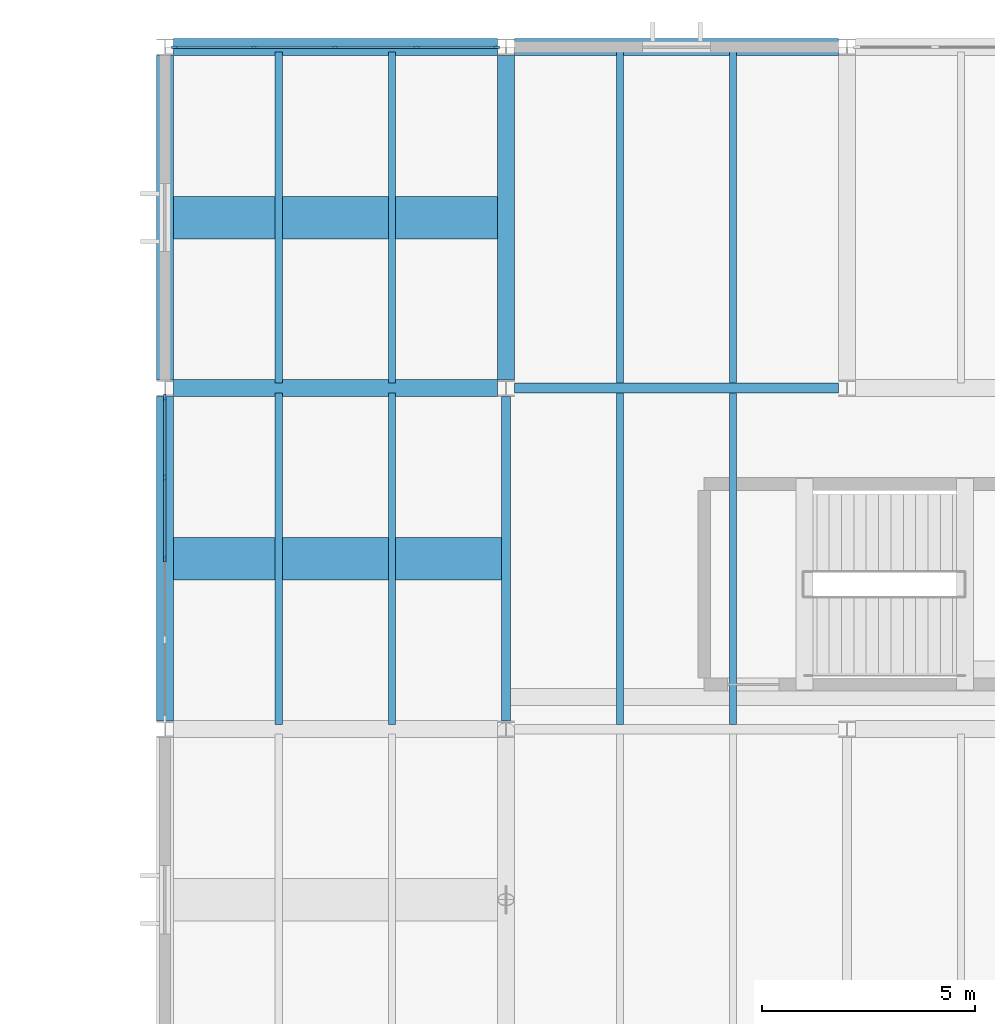
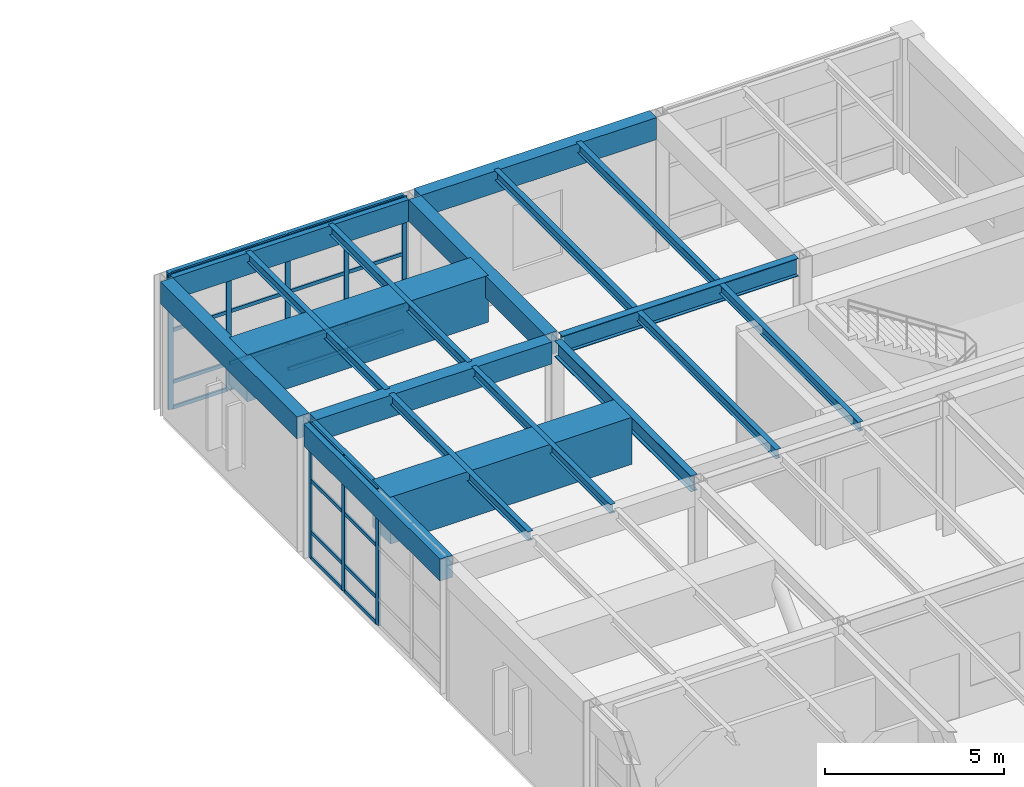
# One storey, part 25 of 60: 32 members, 18 beams, 2 elements without a shape of their own.
"""IFC4 building model written with IfcOpenShell, lengths in metres."""

from ifc_helpers import new_model, si_unit, direction, frame, origin, origin_2d, place, context, subcontext, project, spatial, rectangle, i_section, extrude, material, layer, layer_set, material_profile, profile_set, type_object, element, aggregate, save


model = new_model("IFC4")

# Units and contexts
model_context = context("Model", 3, precision=1e-05, world=origin(), true_north=direction((0.0, 1.0)))
body_context = subcontext(model_context, "Body", "Model", "MODEL_VIEW")
ifc_project = project(units=[si_unit("LENGTHUNIT", "METRE"), si_unit("AREAUNIT", "SQUARE_METRE"), si_unit("VOLUMEUNIT", "CUBIC_METRE"), si_unit("PLANEANGLEUNIT", "RADIAN"), si_unit("MASSUNIT", "GRAM", prefix="KILO")], contexts=[model_context])

# Site, building, storey
site_placement = place(None, origin())
site = spatial("IfcSite", under=ifc_project, at=site_placement, CompositionType="ELEMENT")
building_placement = place(site_placement, origin())
building = spatial("IfcBuilding", under=site, at=building_placement, Name="Varnela Railside Interchange", CompositionType="ELEMENT")
storey_placement = place(building_placement, frame((0.0, 0.0, 6.300048828125)))
storey = spatial("IfcBuildingStorey", under=building, at=storey_placement, Name="L01", CompositionType="ELEMENT", Elevation=6.300048828125)

# Beams
ifc_material_1 = material(Name="Concrete C50", Category="concrete")
ifc_material_profile_1 = material_profile(ifc_material_1, rectangle(XDim=1.0, YDim=1.60009765625, at=origin_2d()), Name="RC 1000x1600")
ifc_profile_set_1 = profile_set([ifc_material_profile_1], Name="Concrete C50")
beam_type_1 = type_object("IfcBeamType", Name="Auditorium Transfer Girder TG-03", PredefinedType="BEAM", material=ifc_profile_set_1)
for number, where, z_axis, x_axis, name in (
    (1, (116.10595703125, 82.0, 3.800048828125), (1.0, 0.0, 0.0), (0.0, 1.0, 0.0), "Auditorium Transfer Girder TG-03 (L01) (BM-1788)"),
    (2, (116.10595703125, 90.0, 3.800048828125), (1.0, 0.0, 0.0), (0.0, 1.0, 0.0), "Auditorium Transfer Girder TG-03 (L01) (BM-1789)"),
):
    element("IfcBeam", number, at=place(storey_placement, frame(where, z_axis=z_axis, x_axis=x_axis)), inside=storey, type_object=beam_type_1, Name=name, PredefinedType="BEAM", context=body_context, shape_type="SweptSolid", body=[
        extrude(rectangle(XDim=1.0, YDim=1.60009765625, at=origin_2d()), origin(), (0.0, 0.0, 1.0), 7.7880859375),
    ])
ifc_material_2 = material(Name="Steel AR 350 (350 MPa)", Category="steel")
ifc_material_profile_2 = material_profile(ifc_material_2, i_section(OverallWidth=0.1650390625, OverallDepth=0.31005859375, WebThickness=0.005859375, FlangeThickness=0.009765625, at=origin_2d()), Name="W310x38.7")
ifc_profile_set_2 = profile_set([ifc_material_profile_2], Name="Steel AR 350 (350 MPa)")
beam_type_2 = type_object("IfcBeamType", Name="Composite Floor Joist J-04", PredefinedType="JOIST", material=ifc_profile_set_2)
for number, where, z_axis, x_axis, name in (
    (3, (118.669921875, 78.114501953125, 4.445068359375), (0.0, 1.0, 0.0), (-1.0, 0.0, 0.0), "Composite Floor Joist J-04 (L01) (BM-1494)"),
    (4, (121.330078125, 78.114501953125, 4.445068359375), (0.0, 1.0, 0.0), (-1.0, 0.0, 0.0), "Composite Floor Joist J-04 (L01) (BM-1495)"),
    (5, (118.669921875, 86.114501953125, 4.445068359375), (0.0, 1.0, 0.0), (-1.0, 0.0, 0.0), "Composite Floor Joist J-04 (L01) (BM-1483)"),
    (6, (121.330078125, 86.114501953125, 4.445068359375), (0.0, 1.0, 0.0), (-1.0, 0.0, 0.0), "Composite Floor Joist J-04 (L01) (BM-1484)"),
    (7, (126.669921875, 78.114501953125, 4.445068359375), (0.0, 1.0, 0.0), (-1.0, 0.0, 0.0), "Composite Floor Joist J-04 (L01) (BM-1506)"),
    (8, (129.330078125, 78.114501953125, 4.445068359375), (0.0, 1.0, 0.0), (-1.0, 0.0, 0.0), "Composite Floor Joist J-04 (L01) (BM-1507)"),
    (9, (126.669921875, 86.114501953125, 4.445068359375), (0.0, 1.0, 0.0), (-1.0, 0.0, 0.0), "Composite Floor Joist J-04 (L01) (BM-1496)"),
    (10, (129.330078125, 86.114501953125, 4.445068359375), (0.0, 1.0, 0.0), (-1.0, 0.0, 0.0), "Composite Floor Joist J-04 (L01) (BM-1497)"),
):
    element("IfcBeam", number, at=place(storey_placement, frame(where, z_axis=z_axis, x_axis=x_axis)), inside=storey, type_object=beam_type_2, Name=name, PredefinedType="JOIST", context=body_context, shape_type="SweptSolid", body=[
        extrude(i_section(OverallWidth=0.1650390625, OverallDepth=0.31005859375, WebThickness=0.005859375, FlangeThickness=0.009765625, at=origin_2d()), origin(), (0.0, 0.0, 1.0), 7.77099609375),
    ])
ifc_material_profile_3 = material_profile(ifc_material_2, i_section(OverallWidth=0.2119140625, OverallDepth=0.5439453125, WebThickness=0.01318359375, FlangeThickness=0.021240234375, at=origin_2d()), Name="W530x123")
ifc_profile_set_3 = profile_set([ifc_material_profile_3], Name="Steel AR 350 (350 MPa)")
beam_type_3 = type_object("IfcBeamType", Name="Composite Heavy Girder B-16", PredefinedType="BEAM", material=ifc_profile_set_3)
beam_1_placement = place(storey_placement, frame((124.0, 78.193603515625, 4.327880859375), z_axis=(0.0, 1.0, 0.0), x_axis=(-1.0, 0.0, 0.0)))
element("IfcBeam", 11, at=beam_1_placement, inside=storey, type_object=beam_type_3, Name="Composite Heavy Girder B-16 (L01) (BM-1720)", PredefinedType="BEAM", context=body_context, shape_type="SweptSolid", body=[
    extrude(i_section(OverallWidth=0.2119140625, OverallDepth=0.5439453125, WebThickness=0.01318359375, FlangeThickness=0.021240234375, at=origin_2d()), origin(), (0.0, 0.0, 1.0), 7.61279296875),
])

# Curtain wall, members
ifc_material_3 = material(Name="Aluminium 6063-T6", Category="aluminium")
ifc_layer = layer(ifc_material_3, 0.035888671875)
ifc_layer_set = layer_set([ifc_layer], Name="Aluminium 6063-T6")
curtain_wall_type = type_object("IfcCurtainWallType", Name="Study Pavilion Gallery Curtain Wall CW-02", PredefinedType="USERDEFINED", material=ifc_layer_set)
curtain_wall_1_placement = place(storey_placement, origin())
curtain_wall_1 = element("IfcCurtainWall", 12, at=curtain_wall_1_placement, inside=storey, type_object=curtain_wall_type, Name="Curtain Wall CW-02 (L01) (CW-030)", ObjectType="CURTAIN WALL", PredefinedType="USERDEFINED")
ifc_material_profile_4 = material_profile(ifc_material_3, rectangle(XDim=0.06005859375, YDim=0.159912109375, at=origin_2d()), Name="ALU 60x160")
ifc_profile_set_4 = profile_set([ifc_material_profile_4], Name="Aluminium 6063-T6")
member_type_1 = type_object("IfcMemberType", Name="Curtain Wall Mullion ML-02", PredefinedType="MULLION", material=ifc_profile_set_4)
member_1_placement = place(storey_placement, frame((116.0, 82.0, 0.0), z_axis=(0.0, 0.0, 1.0), x_axis=(-1.0, 0.0, 0.0)))
member_1 = element("IfcMember", 13, at=member_1_placement, type_object=member_type_1, Name="CW-02 mullion 3", PredefinedType="MULLION", context=body_context, shape_type="SweptSolid", body=[
    extrude(rectangle(XDim=0.06005859375, YDim=0.159912109375, at=origin_2d()), origin(), (0.0, 0.0, 1.0), 4.599853515625),
])
member_2_placement = place(storey_placement, frame((116.0, 83.9033203125, 0.0), z_axis=(0.0, 0.0, 1.0), x_axis=(-1.0, 0.0, 0.0)))
member_2 = element("IfcMember", 14, at=member_2_placement, type_object=member_type_1, Name="CW-02 mullion 4", PredefinedType="MULLION", context=body_context, shape_type="SweptSolid", body=[
    extrude(rectangle(XDim=0.06005859375, YDim=0.159912109375, at=origin_2d()), origin(), (0.0, 0.0, 1.0), 4.599853515625),
])
member_3_placement = place(storey_placement, frame((116.0, 85.776611328125, 0.0), z_axis=(0.0, 0.0, 1.0), x_axis=(-1.0, 0.0, 0.0)))
member_3 = element("IfcMember", 15, at=member_3_placement, type_object=member_type_1, Name="CW-02 mullion 5", PredefinedType="MULLION", context=body_context, shape_type="SweptSolid", body=[
    extrude(rectangle(XDim=0.06005859375, YDim=0.159912109375, at=origin_2d()), origin(), (0.0, 0.0, 1.0), 4.599853515625),
])

curtain_wall_2_placement = place(storey_placement, origin())
curtain_wall_2 = element("IfcCurtainWall", 16, at=curtain_wall_2_placement, inside=storey, type_object=curtain_wall_type, Name="Curtain Wall CW-02 (L01) (CW-031)", ObjectType="CURTAIN WALL", PredefinedType="USERDEFINED")
member_4_placement = place(storey_placement, frame((116.22900390625, 94.0, 0.0), z_axis=(0.0, 0.0, 1.0), x_axis=(0.0, 1.0, 0.0)))
member_4 = element("IfcMember", 17, at=member_4_placement, type_object=member_type_1, Name="CW-02 mullion 1", PredefinedType="MULLION", context=body_context, shape_type="SweptSolid", body=[
    extrude(rectangle(XDim=0.06005859375, YDim=0.159912109375, at=origin_2d()), origin(), (0.0, 0.0, 1.0), 4.599853515625),
])
member_5_placement = place(storey_placement, frame((118.099609375, 94.0, 0.0), z_axis=(0.0, 0.0, 1.0), x_axis=(0.0, 1.0, 0.0)))
member_5 = element("IfcMember", 18, at=member_5_placement, type_object=member_type_1, Name="CW-02 mullion 2", PredefinedType="MULLION", context=body_context, shape_type="SweptSolid", body=[
    extrude(rectangle(XDim=0.06005859375, YDim=0.159912109375, at=origin_2d()), origin(), (0.0, 0.0, 1.0), 4.599853515625),
])
member_6_placement = place(storey_placement, frame((120.0, 94.0, 0.0), z_axis=(0.0, 0.0, 1.0), x_axis=(0.0, 1.0, 0.0)))
member_6 = element("IfcMember", 19, at=member_6_placement, type_object=member_type_1, Name="CW-02 mullion 3", PredefinedType="MULLION", context=body_context, shape_type="SweptSolid", body=[
    extrude(rectangle(XDim=0.06005859375, YDim=0.159912109375, at=origin_2d()), origin(), (0.0, 0.0, 1.0), 4.599853515625),
])
member_7_placement = place(storey_placement, frame((121.900390625, 94.0, 0.0), z_axis=(0.0, 0.0, 1.0), x_axis=(0.0, 1.0, 0.0)))
member_7 = element("IfcMember", 20, at=member_7_placement, type_object=member_type_1, Name="CW-02 mullion 4", PredefinedType="MULLION", context=body_context, shape_type="SweptSolid", body=[
    extrude(rectangle(XDim=0.06005859375, YDim=0.159912109375, at=origin_2d()), origin(), (0.0, 0.0, 1.0), 4.599853515625),
])
member_8_placement = place(storey_placement, frame((123.77099609375, 94.0, 0.0), z_axis=(0.0, 0.0, 1.0), x_axis=(0.0, 1.0, 0.0)))
member_8 = element("IfcMember", 21, at=member_8_placement, type_object=member_type_1, Name="CW-02 mullion 5", PredefinedType="MULLION", context=body_context, shape_type="SweptSolid", body=[
    extrude(rectangle(XDim=0.06005859375, YDim=0.159912109375, at=origin_2d()), origin(), (0.0, 0.0, 1.0), 4.599853515625),
])

# Member
ifc_material_profile_5 = material_profile(ifc_material_3, rectangle(XDim=0.06005859375, YDim=0.1201171875, at=origin_2d()), Name="ALU 60x120")
ifc_profile_set_5 = profile_set([ifc_material_profile_5], Name="Aluminium 6063-T6")
member_type_2 = type_object("IfcMemberType", Name="Curtain Wall Transom TR-02", PredefinedType="USERDEFINED", material=ifc_profile_set_5)
member_9_placement = place(storey_placement, frame((116.0, 82.030029296875, 0.030029296875), z_axis=(0.0, 1.0, 0.0), x_axis=(-1.0, 0.0, 0.0)))
member_9 = element("IfcMember", 22, at=member_9_placement, type_object=member_type_2, Name="CW-02 transom 3.1", ObjectType="TRANSOM", PredefinedType="USERDEFINED", context=body_context, shape_type="SweptSolid", body=[
    extrude(rectangle(XDim=0.06005859375, YDim=0.1201171875, at=origin_2d()), origin(), (0.0, 0.0, 1.0), 1.84326171875),
])

member_10_placement = place(storey_placement, frame((116.0, 82.030029296875, 0.89990234375), z_axis=(0.0, 1.0, 0.0), x_axis=(-1.0, 0.0, 0.0)))
member_10 = element("IfcMember", 23, at=member_10_placement, type_object=member_type_2, Name="CW-02 transom 3.2", ObjectType="TRANSOM", PredefinedType="USERDEFINED", context=body_context, shape_type="SweptSolid", body=[
    extrude(rectangle(XDim=0.06005859375, YDim=0.1201171875, at=origin_2d()), origin(), (0.0, 0.0, 1.0), 1.84326171875),
])

member_11_placement = place(storey_placement, frame((116.0, 82.030029296875, 2.66796875), z_axis=(0.0, 1.0, 0.0), x_axis=(-1.0, 0.0, 0.0)))
member_11 = element("IfcMember", 24, at=member_11_placement, type_object=member_type_2, Name="CW-02 transom 3.3", ObjectType="TRANSOM", PredefinedType="USERDEFINED", context=body_context, shape_type="SweptSolid", body=[
    extrude(rectangle(XDim=0.06005859375, YDim=0.1201171875, at=origin_2d()), origin(), (0.0, 0.0, 1.0), 1.84326171875),
])

member_12_placement = place(storey_placement, frame((116.0, 82.030029296875, 4.570068359375), z_axis=(0.0, 1.0, 0.0), x_axis=(-1.0, 0.0, 0.0)))
member_12 = element("IfcMember", 25, at=member_12_placement, type_object=member_type_2, Name="CW-02 transom 3.4", ObjectType="TRANSOM", PredefinedType="USERDEFINED", context=body_context, shape_type="SweptSolid", body=[
    extrude(rectangle(XDim=0.06005859375, YDim=0.1201171875, at=origin_2d()), origin(), (0.0, 0.0, 1.0), 1.84326171875),
])

member_13_placement = place(storey_placement, frame((116.0, 83.933349609375, 0.030029296875), z_axis=(0.0, 1.0, 0.0), x_axis=(-1.0, 0.0, 0.0)))
member_13 = element("IfcMember", 26, at=member_13_placement, type_object=member_type_2, Name="CW-02 transom 4.1", ObjectType="TRANSOM", PredefinedType="USERDEFINED", context=body_context, shape_type="SweptSolid", body=[
    extrude(rectangle(XDim=0.06005859375, YDim=0.1201171875, at=origin_2d()), origin(), (0.0, 0.0, 1.0), 1.813232421875),
])

member_14_placement = place(storey_placement, frame((116.0, 83.933349609375, 0.89990234375), z_axis=(0.0, 1.0, 0.0), x_axis=(-1.0, 0.0, 0.0)))
member_14 = element("IfcMember", 27, at=member_14_placement, type_object=member_type_2, Name="CW-02 transom 4.2", ObjectType="TRANSOM", PredefinedType="USERDEFINED", context=body_context, shape_type="SweptSolid", body=[
    extrude(rectangle(XDim=0.06005859375, YDim=0.1201171875, at=origin_2d()), origin(), (0.0, 0.0, 1.0), 1.813232421875),
])

member_15_placement = place(storey_placement, frame((116.0, 83.933349609375, 2.66796875), z_axis=(0.0, 1.0, 0.0), x_axis=(-1.0, 0.0, 0.0)))
member_15 = element("IfcMember", 28, at=member_15_placement, type_object=member_type_2, Name="CW-02 transom 4.3", ObjectType="TRANSOM", PredefinedType="USERDEFINED", context=body_context, shape_type="SweptSolid", body=[
    extrude(rectangle(XDim=0.06005859375, YDim=0.1201171875, at=origin_2d()), origin(), (0.0, 0.0, 1.0), 1.813232421875),
])

member_16_placement = place(storey_placement, frame((116.0, 83.933349609375, 4.570068359375), z_axis=(0.0, 1.0, 0.0), x_axis=(-1.0, 0.0, 0.0)))
member_16 = element("IfcMember", 29, at=member_16_placement, type_object=member_type_2, Name="CW-02 transom 4.4", ObjectType="TRANSOM", PredefinedType="USERDEFINED", context=body_context, shape_type="SweptSolid", body=[
    extrude(rectangle(XDim=0.06005859375, YDim=0.1201171875, at=origin_2d()), origin(), (0.0, 0.0, 1.0), 1.813232421875),
])

aggregate(curtain_wall_1, [member_1, member_2, member_3, member_9, member_10, member_11, member_12, member_13, member_14, member_15, member_16])

member_17_placement = place(storey_placement, frame((116.259033203125, 94.0, 0.030029296875), z_axis=(1.0, 0.0, 0.0), x_axis=(0.0, 1.0, 0.0)))
member_17 = element("IfcMember", 30, at=member_17_placement, type_object=member_type_2, Name="CW-02 transom 1.1", ObjectType="TRANSOM", PredefinedType="USERDEFINED", context=body_context, shape_type="SweptSolid", body=[
    extrude(rectangle(XDim=0.06005859375, YDim=0.1201171875, at=origin_2d()), origin(), (0.0, 0.0, 1.0), 1.810546875),
])

member_18_placement = place(storey_placement, frame((116.259033203125, 94.0, 0.89990234375), z_axis=(1.0, 0.0, 0.0), x_axis=(0.0, 1.0, 0.0)))
member_18 = element("IfcMember", 31, at=member_18_placement, type_object=member_type_2, Name="CW-02 transom 1.2", ObjectType="TRANSOM", PredefinedType="USERDEFINED", context=body_context, shape_type="SweptSolid", body=[
    extrude(rectangle(XDim=0.06005859375, YDim=0.1201171875, at=origin_2d()), origin(), (0.0, 0.0, 1.0), 1.810546875),
])

member_19_placement = place(storey_placement, frame((116.259033203125, 94.0, 2.66796875), z_axis=(1.0, 0.0, 0.0), x_axis=(0.0, 1.0, 0.0)))
member_19 = element("IfcMember", 32, at=member_19_placement, type_object=member_type_2, Name="CW-02 transom 1.3", ObjectType="TRANSOM", PredefinedType="USERDEFINED", context=body_context, shape_type="SweptSolid", body=[
    extrude(rectangle(XDim=0.06005859375, YDim=0.1201171875, at=origin_2d()), origin(), (0.0, 0.0, 1.0), 1.810546875),
])

member_20_placement = place(storey_placement, frame((116.259033203125, 94.0, 4.570068359375), z_axis=(1.0, 0.0, 0.0), x_axis=(0.0, 1.0, 0.0)))
member_20 = element("IfcMember", 33, at=member_20_placement, type_object=member_type_2, Name="CW-02 transom 1.4", ObjectType="TRANSOM", PredefinedType="USERDEFINED", context=body_context, shape_type="SweptSolid", body=[
    extrude(rectangle(XDim=0.06005859375, YDim=0.1201171875, at=origin_2d()), origin(), (0.0, 0.0, 1.0), 1.810546875),
])

member_21_placement = place(storey_placement, frame((118.12939453125, 94.0, 0.030029296875), z_axis=(1.0, 0.0, 0.0), x_axis=(0.0, 1.0, 0.0)))
member_21 = element("IfcMember", 34, at=member_21_placement, type_object=member_type_2, Name="CW-02 transom 2.1", ObjectType="TRANSOM", PredefinedType="USERDEFINED", context=body_context, shape_type="SweptSolid", body=[
    extrude(rectangle(XDim=0.06005859375, YDim=0.1201171875, at=origin_2d()), origin(), (0.0, 0.0, 1.0), 1.840576171875),
])

member_22_placement = place(storey_placement, frame((118.12939453125, 94.0, 0.89990234375), z_axis=(1.0, 0.0, 0.0), x_axis=(0.0, 1.0, 0.0)))
member_22 = element("IfcMember", 35, at=member_22_placement, type_object=member_type_2, Name="CW-02 transom 2.2", ObjectType="TRANSOM", PredefinedType="USERDEFINED", context=body_context, shape_type="SweptSolid", body=[
    extrude(rectangle(XDim=0.06005859375, YDim=0.1201171875, at=origin_2d()), origin(), (0.0, 0.0, 1.0), 1.840576171875),
])

member_23_placement = place(storey_placement, frame((118.12939453125, 94.0, 2.66796875), z_axis=(1.0, 0.0, 0.0), x_axis=(0.0, 1.0, 0.0)))
member_23 = element("IfcMember", 36, at=member_23_placement, type_object=member_type_2, Name="CW-02 transom 2.3", ObjectType="TRANSOM", PredefinedType="USERDEFINED", context=body_context, shape_type="SweptSolid", body=[
    extrude(rectangle(XDim=0.06005859375, YDim=0.1201171875, at=origin_2d()), origin(), (0.0, 0.0, 1.0), 1.840576171875),
])

member_24_placement = place(storey_placement, frame((118.12939453125, 94.0, 4.570068359375), z_axis=(1.0, 0.0, 0.0), x_axis=(0.0, 1.0, 0.0)))
member_24 = element("IfcMember", 37, at=member_24_placement, type_object=member_type_2, Name="CW-02 transom 2.4", ObjectType="TRANSOM", PredefinedType="USERDEFINED", context=body_context, shape_type="SweptSolid", body=[
    extrude(rectangle(XDim=0.06005859375, YDim=0.1201171875, at=origin_2d()), origin(), (0.0, 0.0, 1.0), 1.840576171875),
])

member_25_placement = place(storey_placement, frame((120.030029296875, 94.0, 0.030029296875), z_axis=(1.0, 0.0, 0.0), x_axis=(0.0, 1.0, 0.0)))
member_25 = element("IfcMember", 38, at=member_25_placement, type_object=member_type_2, Name="CW-02 transom 3.1", ObjectType="TRANSOM", PredefinedType="USERDEFINED", context=body_context, shape_type="SweptSolid", body=[
    extrude(rectangle(XDim=0.06005859375, YDim=0.1201171875, at=origin_2d()), origin(), (0.0, 0.0, 1.0), 1.840576171875),
])

member_26_placement = place(storey_placement, frame((120.030029296875, 94.0, 0.89990234375), z_axis=(1.0, 0.0, 0.0), x_axis=(0.0, 1.0, 0.0)))
member_26 = element("IfcMember", 39, at=member_26_placement, type_object=member_type_2, Name="CW-02 transom 3.2", ObjectType="TRANSOM", PredefinedType="USERDEFINED", context=body_context, shape_type="SweptSolid", body=[
    extrude(rectangle(XDim=0.06005859375, YDim=0.1201171875, at=origin_2d()), origin(), (0.0, 0.0, 1.0), 1.840576171875),
])

member_27_placement = place(storey_placement, frame((120.030029296875, 94.0, 2.66796875), z_axis=(1.0, 0.0, 0.0), x_axis=(0.0, 1.0, 0.0)))
member_27 = element("IfcMember", 40, at=member_27_placement, type_object=member_type_2, Name="CW-02 transom 3.3", ObjectType="TRANSOM", PredefinedType="USERDEFINED", context=body_context, shape_type="SweptSolid", body=[
    extrude(rectangle(XDim=0.06005859375, YDim=0.1201171875, at=origin_2d()), origin(), (0.0, 0.0, 1.0), 1.840576171875),
])

member_28_placement = place(storey_placement, frame((120.030029296875, 94.0, 4.570068359375), z_axis=(1.0, 0.0, 0.0), x_axis=(0.0, 1.0, 0.0)))
member_28 = element("IfcMember", 41, at=member_28_placement, type_object=member_type_2, Name="CW-02 transom 3.4", ObjectType="TRANSOM", PredefinedType="USERDEFINED", context=body_context, shape_type="SweptSolid", body=[
    extrude(rectangle(XDim=0.06005859375, YDim=0.1201171875, at=origin_2d()), origin(), (0.0, 0.0, 1.0), 1.840576171875),
])

member_29_placement = place(storey_placement, frame((121.930419921875, 94.0, 0.030029296875), z_axis=(1.0, 0.0, 0.0), x_axis=(0.0, 1.0, 0.0)))
member_29 = element("IfcMember", 42, at=member_29_placement, type_object=member_type_2, Name="CW-02 transom 4.1", ObjectType="TRANSOM", PredefinedType="USERDEFINED", context=body_context, shape_type="SweptSolid", body=[
    extrude(rectangle(XDim=0.06005859375, YDim=0.1201171875, at=origin_2d()), origin(), (0.0, 0.0, 1.0), 1.810546875),
])

member_30_placement = place(storey_placement, frame((121.930419921875, 94.0, 0.89990234375), z_axis=(1.0, 0.0, 0.0), x_axis=(0.0, 1.0, 0.0)))
member_30 = element("IfcMember", 43, at=member_30_placement, type_object=member_type_2, Name="CW-02 transom 4.2", ObjectType="TRANSOM", PredefinedType="USERDEFINED", context=body_context, shape_type="SweptSolid", body=[
    extrude(rectangle(XDim=0.06005859375, YDim=0.1201171875, at=origin_2d()), origin(), (0.0, 0.0, 1.0), 1.810546875),
])

member_31_placement = place(storey_placement, frame((121.930419921875, 94.0, 2.66796875), z_axis=(1.0, 0.0, 0.0), x_axis=(0.0, 1.0, 0.0)))
member_31 = element("IfcMember", 44, at=member_31_placement, type_object=member_type_2, Name="CW-02 transom 4.3", ObjectType="TRANSOM", PredefinedType="USERDEFINED", context=body_context, shape_type="SweptSolid", body=[
    extrude(rectangle(XDim=0.06005859375, YDim=0.1201171875, at=origin_2d()), origin(), (0.0, 0.0, 1.0), 1.810546875),
])

member_32_placement = place(storey_placement, frame((121.930419921875, 94.0, 4.570068359375), z_axis=(1.0, 0.0, 0.0), x_axis=(0.0, 1.0, 0.0)))
member_32 = element("IfcMember", 45, at=member_32_placement, type_object=member_type_2, Name="CW-02 transom 4.4", ObjectType="TRANSOM", PredefinedType="USERDEFINED", context=body_context, shape_type="SweptSolid", body=[
    extrude(rectangle(XDim=0.06005859375, YDim=0.1201171875, at=origin_2d()), origin(), (0.0, 0.0, 1.0), 1.810546875),
])

aggregate(curtain_wall_2, [member_4, member_5, member_6, member_7, member_8, member_17, member_18, member_19, member_20, member_21, member_22, member_23, member_24, member_25, member_26, member_27, member_28, member_29, member_30, member_31, member_32])

# Beams
ifc_material_profile_6 = material_profile(ifc_material_2, i_section(OverallWidth=0.22900390625, OverallDepth=0.612060546875, WebThickness=0.011962890625, FlangeThickness=0.01953125, at=origin_2d()), Name="W610x125")
ifc_profile_set_6 = profile_set([ifc_material_profile_6], Name="Steel AR 350 (350 MPa)")
beam_type_4 = type_object("IfcBeamType", Name="Podium Composite Girder B-15", PredefinedType="BEAM", material=ifc_profile_set_6)
beam_2_placement = place(storey_placement, frame((124.198974609375, 86.0, 4.2939453125), z_axis=(1.0, 0.0, 0.0), x_axis=(0.0, 1.0, 0.0)))
element("IfcBeam", 46, at=beam_2_placement, inside=storey, type_object=beam_type_4, Name="Podium Composite Girder B-15 (L01) (BM-1685)", PredefinedType="BEAM", context=body_context, shape_type="SweptSolid", body=[
    extrude(i_section(OverallWidth=0.22900390625, OverallDepth=0.612060546875, WebThickness=0.011962890625, FlangeThickness=0.01953125, at=origin_2d()), origin(), (0.0, 0.0, 1.0), 7.60205078125),
])
ifc_material_4 = material(Name="Concrete C40 precast", Category="concrete")
ifc_material_profile_7 = material_profile(ifc_material_4, rectangle(XDim=0.39990234375, YDim=0.75, at=origin_2d()), Name="PC 400x750")
ifc_profile_set_7 = profile_set([ifc_material_profile_7], Name="Concrete C40 precast")
beam_type_5 = type_object("IfcBeamType", Name="Precast Facade Spandrel SP-03", PredefinedType="SPANDREL", material=ifc_profile_set_7)
for number, where, z_axis, x_axis, name in (
    (47, (116.198974609375, 86.0, 4.224853515625), (1.0, 0.0, 0.0), (0.0, 1.0, 0.0), "Precast Facade Spandrel SP-03 (L01) (BM-1684)"),
    (48, (116.198974609375, 94.0, 4.224853515625), (1.0, 0.0, 0.0), (0.0, 1.0, 0.0), "Precast Facade Spandrel SP-03 (L01) (BM-1693)"),
    (49, (124.198974609375, 94.0, 4.224853515625), (1.0, 0.0, 0.0), (0.0, 1.0, 0.0), "Precast Facade Spandrel SP-03 (L01) (BM-1694)"),
):
    element("IfcBeam", number, at=place(storey_placement, frame(where, z_axis=z_axis, x_axis=x_axis)), inside=storey, type_object=beam_type_5, Name=name, PredefinedType="SPANDREL", context=body_context, shape_type="SweptSolid", body=[
        extrude(rectangle(XDim=0.39990234375, YDim=0.75, at=origin_2d()), origin(), (0.0, 0.0, 1.0), 7.60205078125),
    ])
for number, where, z_axis, x_axis, name in (
    (50, (116.0, 78.193603515625, 4.224853515625), (0.0, 1.0, 0.0), (-1.0, 0.0, 0.0), "Precast Facade Spandrel SP-03 (L01) (BM-1714)"),
    (51, (116.0, 86.193603515625, 4.224853515625), (0.0, 1.0, 0.0), (-1.0, 0.0, 0.0), "Precast Facade Spandrel SP-03 (L01) (BM-1715)"),
    (52, (124.0, 86.193603515625, 4.224853515625), (0.0, 1.0, 0.0), (-1.0, 0.0, 0.0), "Precast Facade Spandrel SP-03 (L01) (BM-1721)"),
):
    element("IfcBeam", number, at=place(storey_placement, frame(where, z_axis=z_axis, x_axis=x_axis)), inside=storey, type_object=beam_type_5, Name=name, PredefinedType="SPANDREL", context=body_context, shape_type="SweptSolid", body=[
        extrude(rectangle(XDim=0.39990234375, YDim=0.75, at=origin_2d()), origin(), (0.0, 0.0, 1.0), 7.61279296875),
    ])

save(model, "model.ifc")
